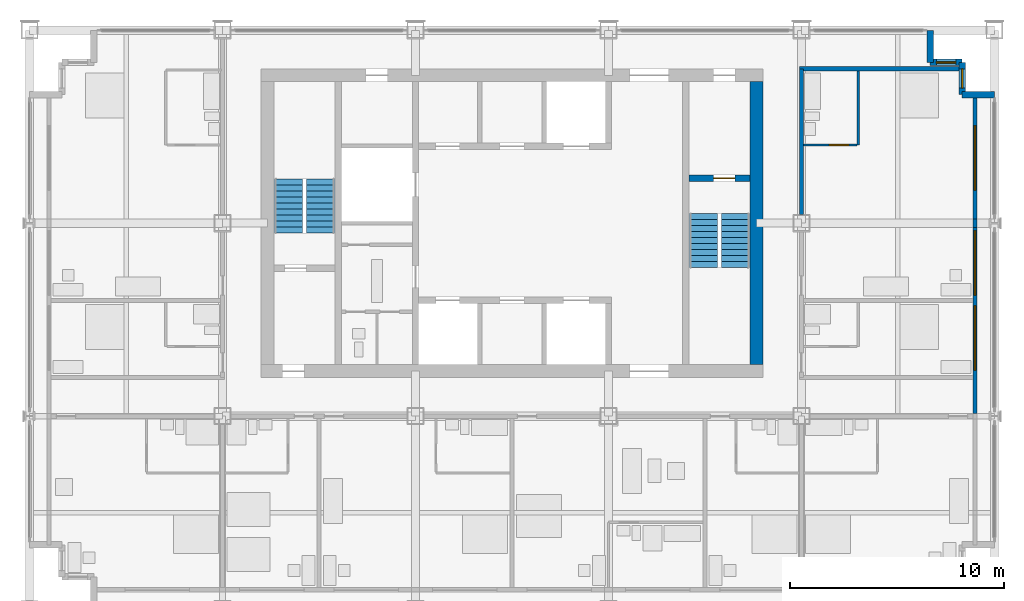
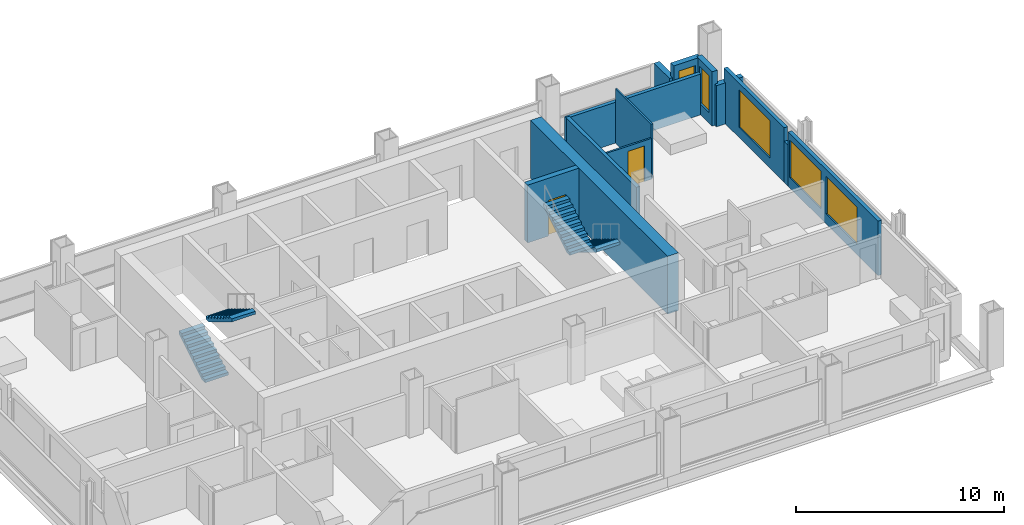
# One storey, part 10 of 13: 13 walls, 5 windows, 4 stair flights, 2 doors, 7 openings, 2 elements without a shape of their own.
"""IFC4 building model written with IfcOpenShell, lengths in metres."""

from ifc_helpers import new_model, si_unit, direction, frame, frame_2d, origin, place, context, subcontext, project, spatial, polyline, rectangle, outline, extrude, material, layer, layer_set, type_object, element, fill, aggregate, save


model = new_model("IFC4")

# Units and contexts
model_context = context("Model", 3, precision=1e-05, world=origin(), true_north=direction((0.0, 1.0)))
body_context = subcontext(model_context, "Body", "Model", "MODEL_VIEW")
ifc_project = project(units=[si_unit("LENGTHUNIT", "METRE"), si_unit("AREAUNIT", "SQUARE_METRE"), si_unit("VOLUMEUNIT", "CUBIC_METRE"), si_unit("PLANEANGLEUNIT", "RADIAN"), si_unit("MASSUNIT", "GRAM", prefix="KILO")], contexts=[model_context])

# Site, building, storey
site_placement = place(None, origin())
site = spatial("IfcSite", under=ifc_project, at=site_placement, CompositionType="ELEMENT")
building_placement = place(site_placement, origin())
building = spatial("IfcBuilding", under=site, at=building_placement, Name="Loomwork Tower", CompositionType="ELEMENT")
storey_placement = place(building_placement, frame((0.0, 0.0, 211.39990234375)))
storey = spatial("IfcBuildingStorey", under=building, at=storey_placement, Name="L58", CompositionType="ELEMENT", Elevation=211.39990234375)

# Wall, opening, door
ifc_material_1 = material(Name="Concrete 14000 psi (97 MPa)", Category="concrete")
ifc_layer_1 = layer(ifc_material_1, 0.300048828125)
ifc_layer_set_1 = layer_set([ifc_layer_1], Name="Core shear wall 300")
wall_type_1 = type_object("IfcWallType", Name="Core shear wall 300", PredefinedType="SHEAR", material=ifc_layer_set_1)
wall_1_placement = place(storey_placement, frame((30.75, 20.10009765625, 0.0), z_axis=(0.0, 0.0, 1.0), x_axis=(1.0, 0.0, 0.0)))
wall_1 = element("IfcWall", 1, at=wall_1_placement, inside=storey, type_object=wall_type_1, Name="Stair B north wall L58", PredefinedType="SHEAR", context=body_context, shape_type="SweptSolid", body=[
    extrude(rectangle(XDim=2.85009765625, YDim=0.300048828125, at=frame_2d((1.425048828125, 0.0))), origin(), (0.0, 0.0, 1.0), 3.400146484375),
])
opening_1_placement = place(wall_1_placement, frame((1.14990234375, 0.0, 0.0)))
opening_1 = element("IfcOpeningElement", 2, at=opening_1_placement, cuts=wall_1, Name="Opening D4", PredefinedType="OPENING", context=body_context, shape_type="SweptSolid", body=[
    extrude(rectangle(XDim=1.0, YDim=2.10009765625, at=frame_2d((0.5, 1.050048828125))), frame((0.0, 0.159912109375, 0.0), z_axis=(0.0, -1.0, 0.0), x_axis=(1.0, 0.0, 0.0)), (0.0, 0.0, 1.0), 0.320068359375),
])
ifc_material_2 = material(Name="Hollow metal door and frame")
door_type_1 = type_object("IfcDoorType", Name="Stair door 1000", OperationType="SINGLE_SWING_RIGHT", PredefinedType="DOOR", material=ifc_material_2)
door_1_placement = place(opening_1_placement, frame((1.0, 0.0, 0.0), z_axis=(0.0, 0.0, 1.0), x_axis=(-1.0, 0.0, 0.0)))
door_1 = element("IfcDoor", 3, at=door_1_placement, inside=storey, type_object=door_type_1, Name="Stair B door", OperationType="SINGLE_SWING_LEFT", OverallHeight=2.10009765625, OverallWidth=1.0, PredefinedType="DOOR", context=body_context, shape_type="SweptSolid", body=[
    extrude(rectangle(XDim=1.0, YDim=2.10009765625, at=frame_2d((0.5, 1.050048828125))), frame((0.0, 0.02490234375, 0.0), z_axis=(0.0, -1.0, 0.0), x_axis=(1.0, 0.0, 0.0)), (0.0, 0.0, 1.0), 0.050048828125),
])
fill(opening_1, door_1)

# Walls
ifc_material_3 = material(Name="Concrete 14000 psi (97 MPa)", Category="concrete")
ifc_layer_2 = layer(ifc_material_3, 0.60009765625)
ifc_layer_set_2 = layer_set([ifc_layer_2], Name="Core shear wall 600")
wall_type_2 = type_object("IfcWallType", Name="Core shear wall 600", PredefinedType="SHEAR", material=ifc_layer_set_2)
wall_2_placement = place(storey_placement, frame((33.89990234375, 11.39990234375, 0.0), z_axis=(0.0, 0.0, 1.0), x_axis=(0.0, 1.0, 0.0)))
element("IfcWall", 4, at=wall_2_placement, inside=storey, type_object=wall_type_2, Name="Core wall east L58", PredefinedType="SHEAR", context=body_context, shape_type="SweptSolid", body=[
    extrude(rectangle(XDim=13.2001953125, YDim=0.60009765625, at=frame_2d((6.60009765625, 0.0))), origin(), (0.0, 0.0, 1.0), 3.400146484375),
])
ifc_material_4 = material(Name="Gypsum board on steel studs, one-hour", Category="steel")
ifc_layer_3 = layer(ifc_material_4, 0.199951171875)
ifc_layer_set_3 = layer_set([ifc_layer_3], Name="Corridor wall 200")
wall_type_3 = type_object("IfcWallType", Name="Corridor wall 200", PredefinedType="PARTITIONING", material=ifc_layer_set_3)
wall_3_placement = place(storey_placement, frame((36.0, 18.39990234375, 0.0), z_axis=(0.0, 0.0, 1.0), x_axis=(0.0, 1.0, 0.0)))
element("IfcWall", 5, at=wall_3_placement, inside=storey, type_object=wall_type_3, Name="East corridor wall 2", PredefinedType="PARTITIONING", context=body_context, shape_type="SweptSolid", body=[
    extrude(rectangle(XDim=6.800048828125, YDim=0.199951171875, at=frame_2d((3.39990234375, 0.0))), origin(), (0.0, 0.0, 1.0), 2.405029296875),
])
wall_4_placement = place(storey_placement, frame((35.89990234375, 25.199951171875, 0.0), z_axis=(0.0, 0.0, 1.0), x_axis=(1.0, 0.0, 0.0)))
element("IfcWall", 6, at=wall_4_placement, inside=storey, type_object=wall_type_3, Name="East band end wall N", PredefinedType="PARTITIONING", context=body_context, shape_type="SweptSolid", body=[
    extrude(rectangle(XDim=7.4501953125, YDim=0.199951171875, at=frame_2d((3.72509765625, 0.0))), origin(), (0.0, 0.0, 1.0), 2.404052734375),
])
ifc_material_5 = material(Name="Cement board on steel studs", Category="steel")
ifc_layer_4 = layer(ifc_material_5, 0.10009765625)
ifc_layer_set_4 = layer_set([ifc_layer_4], Name="En-suite partition 100")
wall_type_4 = type_object("IfcWallType", Name="En-suite partition 100", PredefinedType="PARTITIONING", material=ifc_layer_set_4)
wall_5_placement = place(storey_placement, frame((38.64990234375, 21.64990234375, 0.0), z_axis=(0.0, 0.0, 1.0), x_axis=(0.0, 1.0, 0.0)))
element("IfcWall", 7, at=wall_5_placement, inside=storey, type_object=wall_type_4, Name="En-suite wall L58 room 10", PredefinedType="PARTITIONING", context=body_context, shape_type="SweptSolid", body=[
    extrude(rectangle(XDim=3.4501953125, YDim=0.10009765625, at=frame_2d((1.72509765625, 0.0))), origin(), (0.0, 0.0, 1.0), 3.2001953125),
])

# Wall, opening, door
wall_6_placement = place(storey_placement, frame((36.10009765625, 21.64990234375, 0.0), z_axis=(0.0, 0.0, 1.0), x_axis=(1.0, 0.0, 0.0)))
wall_6 = element("IfcWall", 8, at=wall_6_placement, inside=storey, type_object=wall_type_4, Name="En-suite side wall L58 room 10", PredefinedType="PARTITIONING", context=body_context, shape_type="SweptSolid", body=[
    extrude(rectangle(XDim=2.5, YDim=0.10009765625, at=frame_2d((1.25, 0.0))), origin(), (0.0, 0.0, 1.0), 2.404052734375),
])
opening_2_placement = place(wall_6_placement, frame((1.199951171875, 0.0, 0.0)))
opening_2 = element("IfcOpeningElement", 9, at=opening_2_placement, cuts=wall_6, Name="Opening D2", PredefinedType="OPENING", context=body_context, shape_type="SweptSolid", body=[
    extrude(rectangle(XDim=0.89990234375, YDim=2.10009765625, at=frame_2d((0.449951171875, 1.050048828125))), frame((0.0, 0.06005859375, 0.0), z_axis=(0.0, -1.0, 0.0), x_axis=(1.0, 0.0, 0.0)), (0.0, 0.0, 1.0), 0.1201171875),
])
ifc_material_6 = material(Name="Hollow metal door and frame")
door_type_2 = type_object("IfcDoorType", Name="En-suite door 900", OperationType="SINGLE_SWING_LEFT", PredefinedType="DOOR", material=ifc_material_6)
door_2_placement = place(opening_2_placement, origin())
door_2 = element("IfcDoor", 10, at=door_2_placement, inside=storey, type_object=door_type_2, Name="En-suite door room 10", OperationType="SINGLE_SWING_RIGHT", OverallHeight=2.10009765625, OverallWidth=0.89990234375, PredefinedType="DOOR", context=body_context, shape_type="SweptSolid", body=[
    extrude(rectangle(XDim=0.89990234375, YDim=2.10009765625, at=frame_2d((0.449951171875, 1.050048828125))), frame((0.0, 0.02490234375, 0.0), z_axis=(0.0, -1.0, 0.0), x_axis=(1.0, 0.0, 0.0)), (0.0, 0.0, 1.0), 0.050048828125),
])
fill(opening_2, door_2)

# Wall, openings, windows
ifc_material_7 = material(Name="Insulated steel stud wall with gypsum lining", Category="steel")
ifc_layer_5 = layer(ifc_material_7, 0.199951171875)
ifc_layer_set_5 = layer_set([ifc_layer_5], Name="Inner skin wall 200")
wall_type_5 = type_object("IfcWallType", Name="Inner skin wall 200", PredefinedType="SOLIDWALL", material=ifc_layer_set_5)
wall_7_placement = place(storey_placement, frame((44.10009765625, 9.13525390625, 0.0), z_axis=(0.0, 0.0, 1.0), x_axis=(0.0, 1.0, 0.0)))
wall_7 = element("IfcWall", 11, at=wall_7_placement, inside=storey, type_object=wall_type_5, Name="Inner skin wall E bay 5", PredefinedType="SOLIDWALL", context=body_context, shape_type="SweptSolid", body=[
    extrude(rectangle(XDim=8.6708984375, YDim=0.199951171875, at=frame_2d((4.33544921875, 0.0))), origin(), (0.0, 0.0, 1.0), 3.2001953125),
])
opening_3_placement = place(wall_7_placement, frame((2.0146484375, 0.0, 0.60009765625)))
opening_3 = element("IfcOpeningElement", 12, at=opening_3_placement, cuts=wall_7, Name="Opening CH1", PredefinedType="OPENING", context=body_context, shape_type="SweptSolid", body=[
    extrude(rectangle(XDim=3.0, YDim=2.199951171875, at=frame_2d((1.5, 1.10009765625))), frame((0.0, 0.10986328125, 0.0), z_axis=(0.0, -1.0, 0.0), x_axis=(1.0, 0.0, 0.0)), (0.0, 0.0, 1.0), 0.219970703125),
])
opening_4_placement = place(wall_7_placement, frame((5.5146484375, 0.0, 0.60009765625)))
opening_4 = element("IfcOpeningElement", 13, at=opening_4_placement, cuts=wall_7, Name="Opening CH1", PredefinedType="OPENING", context=body_context, shape_type="SweptSolid", body=[
    extrude(rectangle(XDim=3.0, YDim=2.199951171875, at=frame_2d((1.5, 1.10009765625))), frame((0.0, 0.10986328125, 0.0), z_axis=(0.0, -1.0, 0.0), x_axis=(1.0, 0.0, 0.0)), (0.0, 0.0, 1.0), 0.219970703125),
])
ifc_material_8 = material(Name="Aluminium frame with clear insulated glass", Category="aluminium")
window_type_1 = type_object("IfcWindowType", Name="Chicago window 3000", PartitioningType="TRIPLE_PANEL_VERTICAL", PredefinedType="WINDOW", material=ifc_material_8)
window_1_placement = place(opening_3_placement, origin())
window_1 = element("IfcWindow", 14, at=window_1_placement, inside=storey, type_object=window_type_1, Name="Chicago window L58 bay 8", OverallHeight=2.199951171875, OverallWidth=3.0, PartitioningType="TRIPLE_PANEL_VERTICAL", PredefinedType="WINDOW", context=body_context, shape_type="SweptSolid", body=[
    extrude(rectangle(XDim=3.0, YDim=2.199951171875, at=frame_2d((1.5, 1.10009765625))), frame((0.0, 0.030029296875, 0.0), z_axis=(0.0, -1.0, 0.0), x_axis=(1.0, 0.0, 0.0)), (0.0, 0.0, 1.0), 0.06005859375),
])
fill(opening_3, window_1)
window_2_placement = place(opening_4_placement, origin())
window_2 = element("IfcWindow", 15, at=window_2_placement, inside=storey, type_object=window_type_1, Name="Chicago window L58 bay 8", OverallHeight=2.199951171875, OverallWidth=3.0, PartitioningType="TRIPLE_PANEL_VERTICAL", PredefinedType="WINDOW", context=body_context, shape_type="SweptSolid", body=[
    extrude(rectangle(XDim=3.0, YDim=2.199951171875, at=frame_2d((1.5, 1.10009765625))), frame((0.0, 0.030029296875, 0.0), z_axis=(0.0, -1.0, 0.0), x_axis=(1.0, 0.0, 0.0)), (0.0, 0.0, 1.0), 0.06005859375),
])
fill(opening_4, window_2)

# Wall
wall_8_placement = place(storey_placement, frame((44.10009765625, 17.80615234375, 0.0), z_axis=(0.0, 0.0, 1.0), x_axis=(0.0, 1.0, 0.0)))
element("IfcWall", 16, at=wall_8_placement, inside=storey, type_object=wall_type_5, Name="Inner skin wall E bay 6", PredefinedType="SOLIDWALL", context=body_context, shape_type="SweptSolid", body=[
    extrude(rectangle(XDim=0.3876953125, YDim=0.199951171875, at=frame_2d((0.19384765625, 0.0))), origin(), (0.0, 0.0, 1.0), 2.404052734375),
])

# Wall, opening, window
wall_9_placement = place(storey_placement, frame((44.10009765625, 18.19384765625, 0.0), z_axis=(0.0, 0.0, 1.0), x_axis=(0.0, 1.0, 0.0)))
wall_9 = element("IfcWall", 17, at=wall_9_placement, inside=storey, type_object=wall_type_5, Name="Inner skin wall E bay 7", PredefinedType="SOLIDWALL", context=body_context, shape_type="SweptSolid", body=[
    extrude(rectangle(XDim=5.80615234375, YDim=0.199951171875, at=frame_2d((2.903076171875, 0.0))), origin(), (0.0, 0.0, 1.0), 3.2001953125),
])
opening_5_placement = place(wall_9_placement, frame((1.356201171875, 0.0, 0.60009765625)))
opening_5 = element("IfcOpeningElement", 18, at=opening_5_placement, cuts=wall_9, Name="Opening CH1", PredefinedType="OPENING", context=body_context, shape_type="SweptSolid", body=[
    extrude(rectangle(XDim=3.0, YDim=2.199951171875, at=frame_2d((1.5, 1.10009765625))), frame((0.0, 0.10986328125, 0.0), z_axis=(0.0, -1.0, 0.0), x_axis=(1.0, 0.0, 0.0)), (0.0, 0.0, 1.0), 0.219970703125),
])
window_3_placement = place(opening_5_placement, origin())
window_3 = element("IfcWindow", 19, at=window_3_placement, inside=storey, type_object=window_type_1, Name="Chicago window L58 bay 9", OverallHeight=2.199951171875, OverallWidth=3.0, PartitioningType="TRIPLE_PANEL_VERTICAL", PredefinedType="WINDOW", context=body_context, shape_type="SweptSolid", body=[
    extrude(rectangle(XDim=3.0, YDim=2.199951171875, at=frame_2d((1.5, 1.10009765625))), frame((0.0, 0.030029296875, 0.0), z_axis=(0.0, -1.0, 0.0), x_axis=(1.0, 0.0, 0.0)), (0.0, 0.0, 1.0), 0.06005859375),
])
fill(opening_5, window_3)

# Wall
ifc_material_9 = material(Name="Limestone on concrete masonry", Category="masonry")
ifc_layer_6 = layer(ifc_material_9, 0.300048828125)
ifc_layer_set_6 = layer_set([ifc_layer_6], Name="Limestone corner wall 300")
wall_type_6 = type_object("IfcWallType", Name="Limestone corner wall 300", PredefinedType="SOLIDWALL", material=ifc_layer_set_6)
wall_10_placement = place(storey_placement, frame((45.0, 24.0, 0.0), z_axis=(0.0, 0.0, 1.0), x_axis=(-1.0, 0.0, 0.0)))
element("IfcWall", 20, at=wall_10_placement, inside=storey, type_object=wall_type_6, Name="Stone corner wall NE 1", PredefinedType="SOLIDWALL", context=body_context, shape_type="SweptSolid", body=[
    extrude(rectangle(XDim=1.5, YDim=0.300048828125, at=frame_2d((0.75, 0.0))), origin(), (0.0, 0.0, 1.0), 2.420166015625),
])

# Wall, opening, window
wall_11_placement = place(storey_placement, frame((43.5, 24.0, 0.0), z_axis=(0.0, 0.0, 1.0), x_axis=(0.0, 1.0, 0.0)))
wall_11 = element("IfcWall", 21, at=wall_11_placement, inside=storey, type_object=wall_type_6, Name="Stone corner wall NE 2", PredefinedType="SOLIDWALL", context=body_context, shape_type="SweptSolid", body=[
    extrude(rectangle(XDim=1.5, YDim=0.300048828125, at=frame_2d((0.75, 0.0))), origin(), (0.0, 0.0, 1.0), 3.2001953125),
])
opening_6_placement = place(wall_11_placement, frame((0.300048828125, 0.0, 0.60009765625)))
opening_6 = element("IfcOpeningElement", 22, at=opening_6_placement, cuts=wall_11, Name="Opening CH2", PredefinedType="OPENING", context=body_context, shape_type="SweptSolid", body=[
    extrude(rectangle(XDim=0.89990234375, YDim=2.199951171875, at=frame_2d((0.449951171875, 1.10009765625))), frame((0.0, 0.159912109375, 0.0), z_axis=(0.0, -1.0, 0.0), x_axis=(1.0, 0.0, 0.0)), (0.0, 0.0, 1.0), 0.320068359375),
])
ifc_material_10 = material(Name="Aluminium frame with clear insulated glass", Category="aluminium")
window_type_2 = type_object("IfcWindowType", Name="Corner window 900", PartitioningType="SINGLE_PANEL", PredefinedType="WINDOW", material=ifc_material_10)
window_4_placement = place(opening_6_placement, origin())
window_4 = element("IfcWindow", 23, at=window_4_placement, inside=storey, type_object=window_type_2, Name="Corner window NE", OverallHeight=2.199951171875, OverallWidth=0.89990234375, PartitioningType="SINGLE_PANEL", PredefinedType="WINDOW", context=body_context, shape_type="SweptSolid", body=[
    extrude(rectangle(XDim=0.89990234375, YDim=2.199951171875, at=frame_2d((0.449951171875, 1.10009765625))), frame((0.0, 0.030029296875, 0.0), z_axis=(0.0, -1.0, 0.0), x_axis=(1.0, 0.0, 0.0)), (0.0, 0.0, 1.0), 0.06005859375),
])
fill(opening_6, window_4)

wall_12_placement = place(storey_placement, frame((43.5, 25.5, 0.0), z_axis=(0.0, 0.0, 1.0), x_axis=(-1.0, 0.0, 0.0)))
wall_12 = element("IfcWall", 24, at=wall_12_placement, inside=storey, type_object=wall_type_6, Name="Stone corner wall NE 3", PredefinedType="SOLIDWALL", context=body_context, shape_type="SweptSolid", body=[
    extrude(rectangle(XDim=1.5, YDim=0.300048828125, at=frame_2d((0.75, 0.0))), origin(), (0.0, 0.0, 1.0), 3.2001953125),
])
opening_7_placement = place(wall_12_placement, frame((0.300048828125, 0.0, 0.60009765625)))
opening_7 = element("IfcOpeningElement", 25, at=opening_7_placement, cuts=wall_12, Name="Opening CH2", PredefinedType="OPENING", context=body_context, shape_type="SweptSolid", body=[
    extrude(rectangle(XDim=0.89990234375, YDim=2.199951171875, at=frame_2d((0.449951171875, 1.10009765625))), frame((0.0, 0.159912109375, 0.0), z_axis=(0.0, -1.0, 0.0), x_axis=(1.0, 0.0, 0.0)), (0.0, 0.0, 1.0), 0.320068359375),
])
window_5_placement = place(opening_7_placement, origin())
window_5 = element("IfcWindow", 26, at=window_5_placement, inside=storey, type_object=window_type_2, Name="Corner window NE", OverallHeight=2.199951171875, OverallWidth=0.89990234375, PartitioningType="SINGLE_PANEL", PredefinedType="WINDOW", context=body_context, shape_type="SweptSolid", body=[
    extrude(rectangle(XDim=0.89990234375, YDim=2.199951171875, at=frame_2d((0.449951171875, 1.10009765625))), frame((0.0, 0.030029296875, 0.0), z_axis=(0.0, -1.0, 0.0), x_axis=(1.0, 0.0, 0.0)), (0.0, 0.0, 1.0), 0.06005859375),
])
fill(opening_7, window_5)

# Wall
wall_13_placement = place(storey_placement, frame((42.0, 25.5, 0.0), z_axis=(0.0, 0.0, 1.0), x_axis=(0.0, 1.0, 0.0)))
element("IfcWall", 27, at=wall_13_placement, inside=storey, type_object=wall_type_6, Name="Stone corner wall NE 4", PredefinedType="SOLIDWALL", context=body_context, shape_type="SweptSolid", body=[
    extrude(rectangle(XDim=1.5, YDim=0.300048828125, at=frame_2d((0.75, 0.0))), origin(), (0.0, 0.0, 1.0), 2.420166015625),
])

# Stair, stair flights
ifc_material_11 = material(Name="Concrete 5000 psi (34 MPa) precast stair", Category="concrete")
stair_type_1 = type_object("IfcStairType", Name="Stair ST-A 20 risers 2850 wide", PredefinedType="HALF_TURN_STAIR", material=ifc_material_11)
stair_1_placement = place(storey_placement, origin())
stair_1 = element("IfcStair", 28, at=stair_1_placement, inside=storey, type_object=stair_type_1, Name="Stair A L58", PredefinedType="HALF_TURN_STAIR")
ifc_material_12 = material(Name="Concrete 5000 psi (34 MPa) precast stair", Category="concrete")
stair_flight_type_1 = type_object("IfcStairFlightType", Name="Stair flight ST-A 10 risers 1300 wide", PredefinedType="STRAIGHT", material=ifc_material_12)
stair_flight_1_placement = place(storey_placement, frame((12.074951171875, 17.550048828125, 0.0), z_axis=(0.0, 0.0, 1.0), x_axis=(0.0, 1.0, 0.0)))
stair_flight_1 = element("IfcStairFlight", 29, at=stair_flight_1_placement, type_object=stair_flight_type_1, Name="ST-A flight 1", NumberOfRisers=10, NumberOfTreads=9, PredefinedType="STRAIGHT", RiserHeight=0.17, TreadLength=0.28, context=body_context, shape_type="SweptSolid", body=[
    extrude(outline(polyline([(0.0, 0.0), (0.0, 0.169921875), (0.280029296875, 0.169921875), (0.280029296875, 0.340087890625), (0.56005859375, 0.340087890625), (0.56005859375, 0.510009765625), (0.840087890625, 0.510009765625), (0.840087890625, 0.679931640625), (1.1201171875, 0.679931640625), (1.1201171875, 0.85009765625), (1.39990234375, 0.85009765625), (1.39990234375, 1.02001953125), (1.679931640625, 1.02001953125), (1.679931640625, 1.18994140625), (1.9599609375, 1.18994140625), (1.9599609375, 1.360107421875), (2.239990234375, 1.360107421875), (2.239990234375, 1.530029296875), (2.52001953125, 1.530029296875), (2.52001953125, 1.699951171875), (2.52001953125, 1.354736328125), (0.288818359375, 0.0), (0.0, 0.0)])), frame((0.0, 0.64990234375, 0.0), z_axis=(0.0, -1.0, 0.0), x_axis=(1.0, 0.0, 0.0)), (0.0, 0.0, 1.0), 1.300048828125),
])
stair_flight_2_placement = place(storey_placement, frame((13.574951171875, 20.070068359375, 1.7001953125), z_axis=(0.0, 0.0, 1.0), x_axis=(0.0, -1.0, 0.0)))
stair_flight_2 = element("IfcStairFlight", 30, at=stair_flight_2_placement, type_object=stair_flight_type_1, Name="ST-A flight 2", NumberOfRisers=10, NumberOfTreads=9, PredefinedType="STRAIGHT", RiserHeight=0.17, TreadLength=0.28, context=body_context, shape_type="SweptSolid", body=[
    extrude(outline(polyline([(0.0, 0.0), (0.0, 0.169921875), (0.280029296875, 0.169921875), (0.280029296875, 0.340087890625), (0.56005859375, 0.340087890625), (0.56005859375, 0.510009765625), (0.840087890625, 0.510009765625), (0.840087890625, 0.679931640625), (1.1201171875, 0.679931640625), (1.1201171875, 0.85009765625), (1.39990234375, 0.85009765625), (1.39990234375, 1.02001953125), (1.679931640625, 1.02001953125), (1.679931640625, 1.18994140625), (1.9599609375, 1.18994140625), (1.9599609375, 1.360107421875), (2.239990234375, 1.360107421875), (2.239990234375, 1.530029296875), (2.52001953125, 1.530029296875), (2.52001953125, 1.699951171875), (2.52001953125, 1.354736328125), (0.288818359375, 0.0), (0.0, 0.0)])), frame((0.0, 0.64990234375, 0.0), z_axis=(0.0, -1.0, 0.0), x_axis=(1.0, 0.0, 0.0)), (0.0, 0.0, 1.0), 1.300048828125),
])
aggregate(stair_1, [stair_flight_1, stair_flight_2])

ifc_material_13 = material(Name="Concrete 5000 psi (34 MPa) precast stair", Category="concrete")
stair_type_2 = type_object("IfcStairType", Name="Stair ST-B 20 risers 2850 wide", PredefinedType="HALF_TURN_STAIR", material=ifc_material_13)
stair_2_placement = place(storey_placement, origin())
stair_2 = element("IfcStair", 31, at=stair_2_placement, inside=storey, type_object=stair_type_2, Name="Stair B L58", PredefinedType="HALF_TURN_STAIR")
ifc_material_14 = material(Name="Concrete 5000 psi (34 MPa) precast stair", Category="concrete")
stair_flight_type_2 = type_object("IfcStairFlightType", Name="Stair flight ST-B 10 risers 1300 wide", PredefinedType="STRAIGHT", material=ifc_material_14)
stair_flight_3_placement = place(storey_placement, frame((32.925048828125, 18.449951171875, 0.0), z_axis=(0.0, 0.0, 1.0), x_axis=(0.0, -1.0, 0.0)))
stair_flight_3 = element("IfcStairFlight", 32, at=stair_flight_3_placement, type_object=stair_flight_type_2, Name="ST-B flight 1", NumberOfRisers=10, NumberOfTreads=9, PredefinedType="STRAIGHT", RiserHeight=0.17, TreadLength=0.28, context=body_context, shape_type="SweptSolid", body=[
    extrude(outline(polyline([(0.0, 0.0), (0.0, 0.169921875), (0.280029296875, 0.169921875), (0.280029296875, 0.340087890625), (0.56005859375, 0.340087890625), (0.56005859375, 0.510009765625), (0.840087890625, 0.510009765625), (0.840087890625, 0.679931640625), (1.1201171875, 0.679931640625), (1.1201171875, 0.85009765625), (1.39990234375, 0.85009765625), (1.39990234375, 1.02001953125), (1.679931640625, 1.02001953125), (1.679931640625, 1.18994140625), (1.9599609375, 1.18994140625), (1.9599609375, 1.360107421875), (2.239990234375, 1.360107421875), (2.239990234375, 1.530029296875), (2.52001953125, 1.530029296875), (2.52001953125, 1.699951171875), (2.52001953125, 1.354736328125), (0.288818359375, 0.0), (0.0, 0.0)])), frame((0.0, 0.64990234375, 0.0), z_axis=(0.0, -1.0, 0.0), x_axis=(1.0, 0.0, 0.0)), (0.0, 0.0, 1.0), 1.300048828125),
])
stair_flight_4_placement = place(storey_placement, frame((31.425048828125, 15.929931640625, 1.7001953125), z_axis=(0.0, 0.0, 1.0), x_axis=(0.0, 1.0, 0.0)))
stair_flight_4 = element("IfcStairFlight", 33, at=stair_flight_4_placement, type_object=stair_flight_type_2, Name="ST-B flight 2", NumberOfRisers=10, NumberOfTreads=9, PredefinedType="STRAIGHT", RiserHeight=0.17, TreadLength=0.28, context=body_context, shape_type="SweptSolid", body=[
    extrude(outline(polyline([(0.0, 0.0), (0.0, 0.169921875), (0.280029296875, 0.169921875), (0.280029296875, 0.340087890625), (0.56005859375, 0.340087890625), (0.56005859375, 0.510009765625), (0.840087890625, 0.510009765625), (0.840087890625, 0.679931640625), (1.1201171875, 0.679931640625), (1.1201171875, 0.85009765625), (1.39990234375, 0.85009765625), (1.39990234375, 1.02001953125), (1.679931640625, 1.02001953125), (1.679931640625, 1.18994140625), (1.9599609375, 1.18994140625), (1.9599609375, 1.360107421875), (2.239990234375, 1.360107421875), (2.239990234375, 1.530029296875), (2.52001953125, 1.530029296875), (2.52001953125, 1.699951171875), (2.52001953125, 1.354736328125), (0.288818359375, 0.0), (0.0, 0.0)])), frame((0.0, 0.64990234375, 0.0), z_axis=(0.0, -1.0, 0.0), x_axis=(1.0, 0.0, 0.0)), (0.0, 0.0, 1.0), 1.300048828125),
])
aggregate(stair_2, [stair_flight_3, stair_flight_4])

save(model, "model.ifc")
